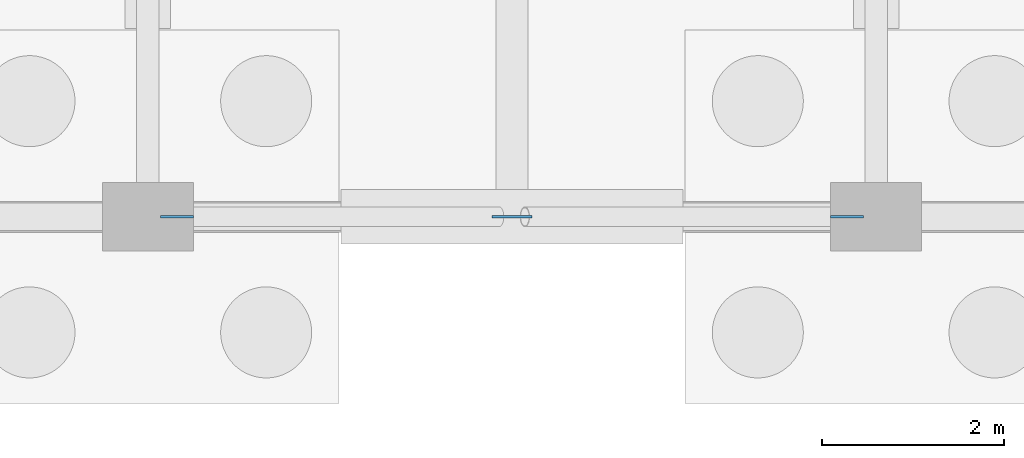
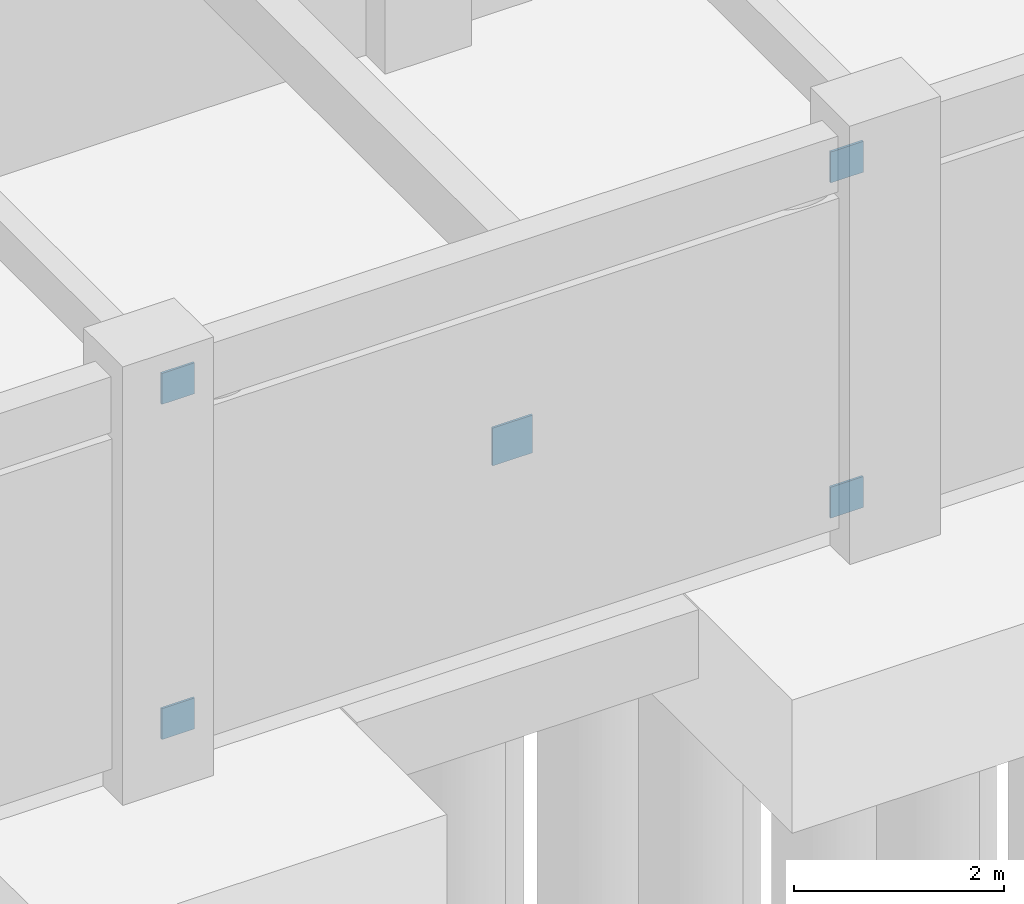
# One storey, part 100 of 147: 5 plates.
"""IFC4 building model written with IfcOpenShell, lengths in metres."""

from ifc_helpers import new_model, si_unit, direction, frame, origin, origin_2d, place, context, subcontext, project, spatial, rectangle, extrude, material, layer, layer_set, type_object, element, save


model = new_model("IFC4")

# Units and contexts
model_context = context("Model", 3, precision=1e-05, world=origin(), true_north=direction((0.0, 1.0)))
body_context = subcontext(model_context, "Body", "Model", "MODEL_VIEW")
ifc_project = project(units=[si_unit("LENGTHUNIT", "METRE"), si_unit("AREAUNIT", "SQUARE_METRE"), si_unit("VOLUMEUNIT", "CUBIC_METRE"), si_unit("PLANEANGLEUNIT", "RADIAN"), si_unit("MASSUNIT", "GRAM", prefix="KILO")], contexts=[model_context])

# Site, building, storey
site_placement = place(None, origin())
site = spatial("IfcSite", under=ifc_project, at=site_placement, CompositionType="ELEMENT")
building_placement = place(site_placement, origin())
building = spatial("IfcBuilding", under=site, at=building_placement, Name="Varnabhumi Central Station", CompositionType="ELEMENT")
storey_placement = place(building_placement, origin())
storey = spatial("IfcBuildingStorey", under=building, at=storey_placement, Name="L00", CompositionType="ELEMENT", Elevation=0.0)

# Plates
ifc_material = material(Name="Structural steel E350", Category="steel")
ifc_layer = layer(ifc_material, 0.031982421875, Name="Structural steel E350", Category="steel")
ifc_layer_set = layer_set([ifc_layer], Name="Structural steel E350")
plate_type = type_object("IfcPlateType", Name="PLT-GUSSET-A", PredefinedType="USERDEFINED", material=ifc_layer_set)
plate_placement = place(storey_placement, frame((172.0, 0.0, 1.929931640625), z_axis=(0.0, 0.0, 1.0), x_axis=(1.0, 0.0, 0.0)))
element("IfcPlate", 1, at=plate_placement, inside=storey, type_object=plate_type, Name="X-Brace Crossing Node Gusset L00-A:22-23", ObjectType="GUSSET PLATE", PredefinedType="USERDEFINED", context=body_context, shape_type="SweptSolid", body=[
    extrude(rectangle(XDim=0.43994140625, YDim=0.02490234375, at=origin_2d()), origin(), (0.0, 0.0, 1.0), 0.43994140625),
])
for number, where, z_axis, x_axis, name in (
    (2, (168.320068359375, 0.0, 0.02001953125), (0.0, 0.0, 1.0), (1.0, 0.0, 0.0), "Brace End Gusset Plate L00-A:22-23-BL"),
    (3, (168.320068359375, 0.0, 3.919921875), (0.0, 0.0, 1.0), (1.0, 0.0, 0.0), "Brace End Gusset Plate L00-A:22-23-TL"),
    (4, (175.679931640625, 0.0, 0.02001953125), (0.0, 0.0, 1.0), (1.0, 0.0, 0.0), "Brace End Gusset Plate L00-A:22-23-BR"),
    (5, (175.679931640625, 0.0, 3.919921875), (0.0, 0.0, 1.0), (1.0, 0.0, 0.0), "Brace End Gusset Plate L00-A:22-23-TR"),
):
    element("IfcPlate", number, at=place(storey_placement, frame(where, z_axis=z_axis, x_axis=x_axis)), inside=storey, type_object=plate_type, Name=name, ObjectType="GUSSET PLATE", PredefinedType="USERDEFINED", context=body_context, shape_type="SweptSolid", body=[
        extrude(rectangle(XDim=0.360107421875, YDim=0.02490234375, at=origin_2d()), origin(), (0.0, 0.0, 1.0), 0.360107421875),
    ])

save(model, "model.ifc")
